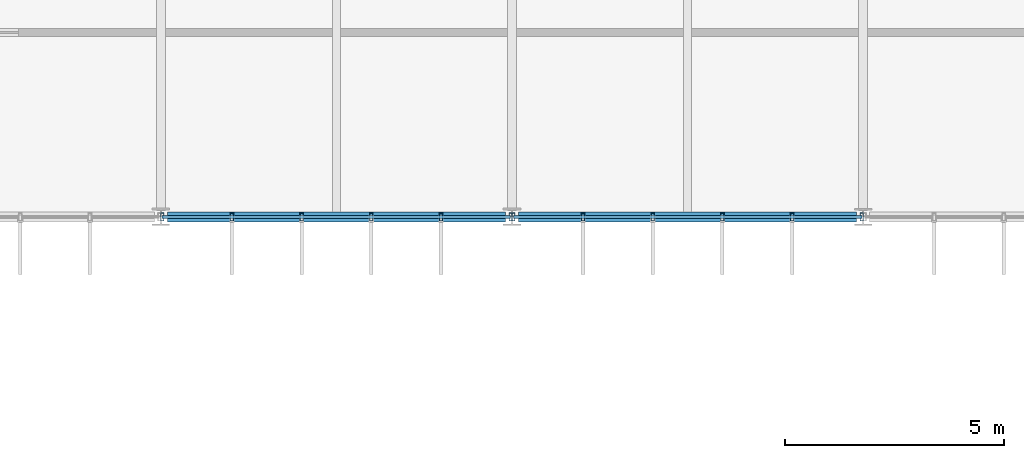
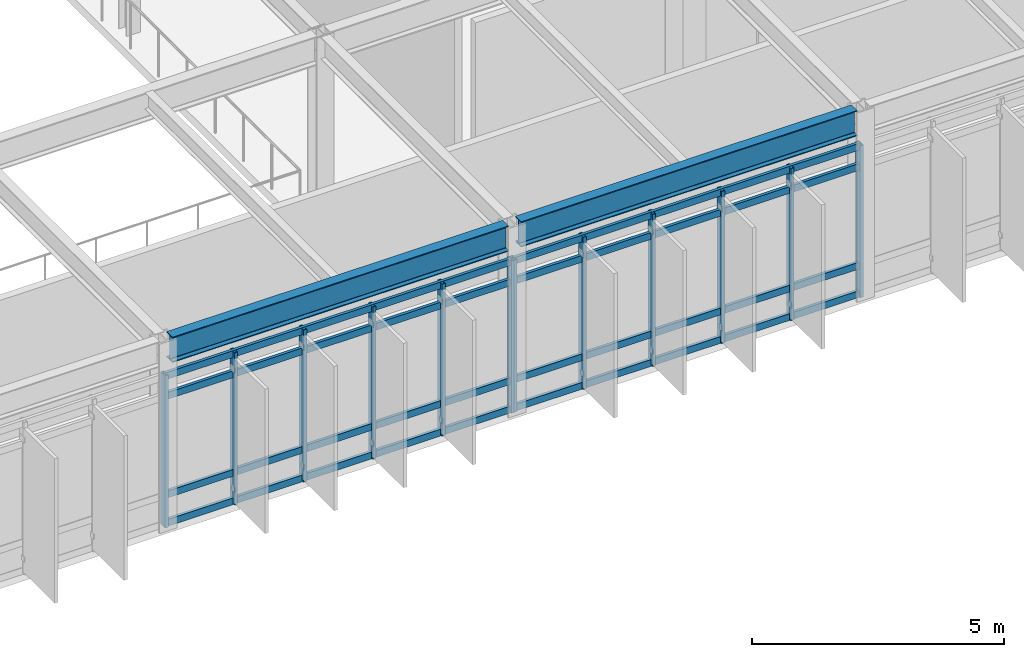
# One storey, part 41 of 104: 20 members, 2 beams, 2 elements without a shape of their own.
"""IFC4 building model written with IfcOpenShell, lengths in metres."""

from ifc_helpers import new_model, si_unit, direction, frame, origin, origin_2d, place, context, subcontext, project, spatial, hollow_rectangle, i_section, extrude, material, material_profile, profile_set, type_object, element, aggregate, save


model = new_model("IFC4")

# Units and contexts
model_context = context("Model", 3, precision=1e-05, world=origin(), true_north=direction((0.0, 1.0)))
body_context = subcontext(model_context, "Body", "Model", "MODEL_VIEW")
ifc_project = project(units=[si_unit("LENGTHUNIT", "METRE"), si_unit("AREAUNIT", "SQUARE_METRE"), si_unit("VOLUMEUNIT", "CUBIC_METRE"), si_unit("PLANEANGLEUNIT", "RADIAN"), si_unit("MASSUNIT", "GRAM", prefix="KILO")], contexts=[model_context])

# Site, building, storey
site_placement = place(None, origin())
site = spatial("IfcSite", under=ifc_project, at=site_placement, CompositionType="ELEMENT")
building_placement = place(site_placement, origin())
building = spatial("IfcBuilding", under=site, at=building_placement, Name="Zulena Civic Courthouse", CompositionType="ELEMENT")
storey_placement = place(building_placement, frame((0.0, 0.0, 10.800048828125)))
storey = spatial("IfcBuildingStorey", under=building, at=storey_placement, Name="L02", CompositionType="ELEMENT", Elevation=10.800048828125)

# Curtain wall, members
ifc_material_1 = material(Name="Double-silver low-E laminated solar-control glass", Category="glass")
curtain_wall_type = type_object("IfcCurtainWallType", Name="CW_7940x3690", PredefinedType="USERDEFINED", material=ifc_material_1)
curtain_wall_1_placement = place(storey_placement, origin())
curtain_wall_1 = element("IfcCurtainWall", 1, at=curtain_wall_1_placement, inside=storey, type_object=curtain_wall_type, Name="cw:V4:L02:3:1", ObjectType="UNITISED CURTAIN WALL", PredefinedType="USERDEFINED")
ifc_material_2 = material(Name="Bronze anodised thermally broken aluminium AA6063-T6", Category="aluminium")
ifc_material_profile_1 = material_profile(ifc_material_2, hollow_rectangle(XDim=0.074951171875, YDim=0.179931640625, WallThickness=0.0048828125, at=origin_2d()), Name="CWM180X75X5")
ifc_profile_set_1 = profile_set([ifc_material_profile_1], Name="Bronze anodised thermally broken aluminium AA6063-T6")
member_type_1 = type_object("IfcMemberType", Name="CWMullion_180x75", PredefinedType="MULLION", material=ifc_profile_set_1)
member_1_placement = place(storey_placement, frame((115.969970703125, 15.199951171875, 0.0), z_axis=(0.0, 0.0, 1.0), x_axis=(1.0, 0.0, 0.0)))
member_1 = element("IfcMember", 2, at=member_1_placement, type_object=member_type_1, Name="cw:V4:L02:3:1:mull:0", PredefinedType="MULLION", context=body_context, shape_type="SweptSolid", body=[
    extrude(hollow_rectangle(XDim=0.074951171875, YDim=0.179931640625, WallThickness=0.0048828125, at=origin_2d()), origin(), (0.0, 0.0, 1.0), 3.68994140625),
])
member_2_placement = place(storey_placement, frame((114.382080078125, 15.199951171875, 0.0), z_axis=(0.0, 0.0, 1.0), x_axis=(1.0, 0.0, 0.0)))
member_2 = element("IfcMember", 3, at=member_2_placement, type_object=member_type_1, Name="cw:V4:L02:3:1:mull:1", PredefinedType="MULLION", context=body_context, shape_type="SweptSolid", body=[
    extrude(hollow_rectangle(XDim=0.074951171875, YDim=0.179931640625, WallThickness=0.0048828125, at=origin_2d()), origin(), (0.0, 0.0, 1.0), 3.68994140625),
])
member_3_placement = place(storey_placement, frame((112.7939453125, 15.199951171875, 0.0), z_axis=(0.0, 0.0, 1.0), x_axis=(1.0, 0.0, 0.0)))
member_3 = element("IfcMember", 4, at=member_3_placement, type_object=member_type_1, Name="cw:V4:L02:3:1:mull:2", PredefinedType="MULLION", context=body_context, shape_type="SweptSolid", body=[
    extrude(hollow_rectangle(XDim=0.074951171875, YDim=0.179931640625, WallThickness=0.0048828125, at=origin_2d()), origin(), (0.0, 0.0, 1.0), 3.68994140625),
])
member_4_placement = place(storey_placement, frame((111.2060546875, 15.199951171875, 0.0), z_axis=(0.0, 0.0, 1.0), x_axis=(1.0, 0.0, 0.0)))
member_4 = element("IfcMember", 5, at=member_4_placement, type_object=member_type_1, Name="cw:V4:L02:3:1:mull:3", PredefinedType="MULLION", context=body_context, shape_type="SweptSolid", body=[
    extrude(hollow_rectangle(XDim=0.074951171875, YDim=0.179931640625, WallThickness=0.0048828125, at=origin_2d()), origin(), (0.0, 0.0, 1.0), 3.68994140625),
])
member_5_placement = place(storey_placement, frame((109.617919921875, 15.199951171875, 0.0), z_axis=(0.0, 0.0, 1.0), x_axis=(1.0, 0.0, 0.0)))
member_5 = element("IfcMember", 6, at=member_5_placement, type_object=member_type_1, Name="cw:V4:L02:3:1:mull:4", PredefinedType="MULLION", context=body_context, shape_type="SweptSolid", body=[
    extrude(hollow_rectangle(XDim=0.074951171875, YDim=0.179931640625, WallThickness=0.0048828125, at=origin_2d()), origin(), (0.0, 0.0, 1.0), 3.68994140625),
])
member_6_placement = place(storey_placement, frame((108.030029296875, 15.199951171875, 0.0), z_axis=(0.0, 0.0, 1.0), x_axis=(1.0, 0.0, 0.0)))
member_6 = element("IfcMember", 7, at=member_6_placement, type_object=member_type_1, Name="cw:V4:L02:3:1:mull:5", PredefinedType="MULLION", context=body_context, shape_type="SweptSolid", body=[
    extrude(hollow_rectangle(XDim=0.074951171875, YDim=0.179931640625, WallThickness=0.0048828125, at=origin_2d()), origin(), (0.0, 0.0, 1.0), 3.68994140625),
])

curtain_wall_2_placement = place(storey_placement, origin())
curtain_wall_2 = element("IfcCurtainWall", 8, at=curtain_wall_2_placement, inside=storey, type_object=curtain_wall_type, Name="cw:V4:L02:3:2", ObjectType="UNITISED CURTAIN WALL", PredefinedType="USERDEFINED")
member_7_placement = place(storey_placement, frame((107.969970703125, 15.199951171875, 0.0), z_axis=(0.0, 0.0, 1.0), x_axis=(1.0, 0.0, 0.0)))
member_7 = element("IfcMember", 9, at=member_7_placement, type_object=member_type_1, Name="cw:V4:L02:3:2:mull:0", PredefinedType="MULLION", context=body_context, shape_type="SweptSolid", body=[
    extrude(hollow_rectangle(XDim=0.074951171875, YDim=0.179931640625, WallThickness=0.0048828125, at=origin_2d()), origin(), (0.0, 0.0, 1.0), 3.68994140625),
])
member_8_placement = place(storey_placement, frame((106.382080078125, 15.199951171875, 0.0), z_axis=(0.0, 0.0, 1.0), x_axis=(1.0, 0.0, 0.0)))
member_8 = element("IfcMember", 10, at=member_8_placement, type_object=member_type_1, Name="cw:V4:L02:3:2:mull:1", PredefinedType="MULLION", context=body_context, shape_type="SweptSolid", body=[
    extrude(hollow_rectangle(XDim=0.074951171875, YDim=0.179931640625, WallThickness=0.0048828125, at=origin_2d()), origin(), (0.0, 0.0, 1.0), 3.68994140625),
])
member_9_placement = place(storey_placement, frame((104.7939453125, 15.199951171875, 0.0), z_axis=(0.0, 0.0, 1.0), x_axis=(1.0, 0.0, 0.0)))
member_9 = element("IfcMember", 11, at=member_9_placement, type_object=member_type_1, Name="cw:V4:L02:3:2:mull:2", PredefinedType="MULLION", context=body_context, shape_type="SweptSolid", body=[
    extrude(hollow_rectangle(XDim=0.074951171875, YDim=0.179931640625, WallThickness=0.0048828125, at=origin_2d()), origin(), (0.0, 0.0, 1.0), 3.68994140625),
])
member_10_placement = place(storey_placement, frame((103.2060546875, 15.199951171875, 0.0), z_axis=(0.0, 0.0, 1.0), x_axis=(1.0, 0.0, 0.0)))
member_10 = element("IfcMember", 12, at=member_10_placement, type_object=member_type_1, Name="cw:V4:L02:3:2:mull:3", PredefinedType="MULLION", context=body_context, shape_type="SweptSolid", body=[
    extrude(hollow_rectangle(XDim=0.074951171875, YDim=0.179931640625, WallThickness=0.0048828125, at=origin_2d()), origin(), (0.0, 0.0, 1.0), 3.68994140625),
])
member_11_placement = place(storey_placement, frame((101.617919921875, 15.199951171875, 0.0), z_axis=(0.0, 0.0, 1.0), x_axis=(1.0, 0.0, 0.0)))
member_11 = element("IfcMember", 13, at=member_11_placement, type_object=member_type_1, Name="cw:V4:L02:3:2:mull:4", PredefinedType="MULLION", context=body_context, shape_type="SweptSolid", body=[
    extrude(hollow_rectangle(XDim=0.074951171875, YDim=0.179931640625, WallThickness=0.0048828125, at=origin_2d()), origin(), (0.0, 0.0, 1.0), 3.68994140625),
])
member_12_placement = place(storey_placement, frame((100.030029296875, 15.199951171875, 0.0), z_axis=(0.0, 0.0, 1.0), x_axis=(1.0, 0.0, 0.0)))
member_12 = element("IfcMember", 14, at=member_12_placement, type_object=member_type_1, Name="cw:V4:L02:3:2:mull:5", PredefinedType="MULLION", context=body_context, shape_type="SweptSolid", body=[
    extrude(hollow_rectangle(XDim=0.074951171875, YDim=0.179931640625, WallThickness=0.0048828125, at=origin_2d()), origin(), (0.0, 0.0, 1.0), 3.68994140625),
])

# Member
ifc_material_profile_2 = material_profile(ifc_material_2, hollow_rectangle(XDim=0.070068359375, YDim=0.1650390625, WallThickness=0.00390625, at=origin_2d()), Name="CWT165X70X4")
ifc_profile_set_2 = profile_set([ifc_material_profile_2], Name="Bronze anodised thermally broken aluminium AA6063-T6")
member_type_2 = type_object("IfcMemberType", Name="CWTransom_165x70", PredefinedType="USERDEFINED", material=ifc_profile_set_2)
member_13_placement = place(storey_placement, frame((115.969970703125, 15.199951171875, 0.06005859375), z_axis=(-1.0, 0.0, 0.0), x_axis=(0.0, -1.0, 0.0)))
member_13 = element("IfcMember", 15, at=member_13_placement, type_object=member_type_2, Name="cw:V4:L02:3:1:tran:0", ObjectType="TRANSOM", PredefinedType="USERDEFINED", context=body_context, shape_type="SweptSolid", body=[
    extrude(hollow_rectangle(XDim=0.070068359375, YDim=0.1650390625, WallThickness=0.00390625, at=origin_2d()), origin(), (0.0, 0.0, 1.0), 7.93994140625),
])

member_14_placement = place(storey_placement, frame((115.969970703125, 15.199951171875, 0.75), z_axis=(-1.0, 0.0, 0.0), x_axis=(0.0, -1.0, 0.0)))
member_14 = element("IfcMember", 16, at=member_14_placement, type_object=member_type_2, Name="cw:V4:L02:3:1:tran:1", ObjectType="TRANSOM", PredefinedType="USERDEFINED", context=body_context, shape_type="SweptSolid", body=[
    extrude(hollow_rectangle(XDim=0.070068359375, YDim=0.1650390625, WallThickness=0.00390625, at=origin_2d()), origin(), (0.0, 0.0, 1.0), 7.93994140625),
])

member_15_placement = place(storey_placement, frame((115.969970703125, 15.199951171875, 3.139892578125), z_axis=(-1.0, 0.0, 0.0), x_axis=(0.0, -1.0, 0.0)))
member_15 = element("IfcMember", 17, at=member_15_placement, type_object=member_type_2, Name="cw:V4:L02:3:1:tran:2", ObjectType="TRANSOM", PredefinedType="USERDEFINED", context=body_context, shape_type="SweptSolid", body=[
    extrude(hollow_rectangle(XDim=0.070068359375, YDim=0.1650390625, WallThickness=0.00390625, at=origin_2d()), origin(), (0.0, 0.0, 1.0), 7.93994140625),
])

member_16_placement = place(storey_placement, frame((115.969970703125, 15.199951171875, 3.6298828125), z_axis=(-1.0, 0.0, 0.0), x_axis=(0.0, -1.0, 0.0)))
member_16 = element("IfcMember", 18, at=member_16_placement, type_object=member_type_2, Name="cw:V4:L02:3:1:tran:3", ObjectType="TRANSOM", PredefinedType="USERDEFINED", context=body_context, shape_type="SweptSolid", body=[
    extrude(hollow_rectangle(XDim=0.070068359375, YDim=0.1650390625, WallThickness=0.00390625, at=origin_2d()), origin(), (0.0, 0.0, 1.0), 7.93994140625),
])

aggregate(curtain_wall_1, [member_1, member_2, member_3, member_4, member_5, member_6, member_13, member_14, member_15, member_16])

member_17_placement = place(storey_placement, frame((107.969970703125, 15.199951171875, 0.06005859375), z_axis=(-1.0, 0.0, 0.0), x_axis=(0.0, -1.0, 0.0)))
member_17 = element("IfcMember", 19, at=member_17_placement, type_object=member_type_2, Name="cw:V4:L02:3:2:tran:0", ObjectType="TRANSOM", PredefinedType="USERDEFINED", context=body_context, shape_type="SweptSolid", body=[
    extrude(hollow_rectangle(XDim=0.070068359375, YDim=0.1650390625, WallThickness=0.00390625, at=origin_2d()), origin(), (0.0, 0.0, 1.0), 7.93994140625),
])

member_18_placement = place(storey_placement, frame((107.969970703125, 15.199951171875, 0.75), z_axis=(-1.0, 0.0, 0.0), x_axis=(0.0, -1.0, 0.0)))
member_18 = element("IfcMember", 20, at=member_18_placement, type_object=member_type_2, Name="cw:V4:L02:3:2:tran:1", ObjectType="TRANSOM", PredefinedType="USERDEFINED", context=body_context, shape_type="SweptSolid", body=[
    extrude(hollow_rectangle(XDim=0.070068359375, YDim=0.1650390625, WallThickness=0.00390625, at=origin_2d()), origin(), (0.0, 0.0, 1.0), 7.93994140625),
])

member_19_placement = place(storey_placement, frame((107.969970703125, 15.199951171875, 3.139892578125), z_axis=(-1.0, 0.0, 0.0), x_axis=(0.0, -1.0, 0.0)))
member_19 = element("IfcMember", 21, at=member_19_placement, type_object=member_type_2, Name="cw:V4:L02:3:2:tran:2", ObjectType="TRANSOM", PredefinedType="USERDEFINED", context=body_context, shape_type="SweptSolid", body=[
    extrude(hollow_rectangle(XDim=0.070068359375, YDim=0.1650390625, WallThickness=0.00390625, at=origin_2d()), origin(), (0.0, 0.0, 1.0), 7.93994140625),
])

member_20_placement = place(storey_placement, frame((107.969970703125, 15.199951171875, 3.6298828125), z_axis=(-1.0, 0.0, 0.0), x_axis=(0.0, -1.0, 0.0)))
member_20 = element("IfcMember", 22, at=member_20_placement, type_object=member_type_2, Name="cw:V4:L02:3:2:tran:3", ObjectType="TRANSOM", PredefinedType="USERDEFINED", context=body_context, shape_type="SweptSolid", body=[
    extrude(hollow_rectangle(XDim=0.070068359375, YDim=0.1650390625, WallThickness=0.00390625, at=origin_2d()), origin(), (0.0, 0.0, 1.0), 7.93994140625),
])

aggregate(curtain_wall_2, [member_7, member_8, member_9, member_10, member_11, member_12, member_17, member_18, member_19, member_20])

# Beams
ifc_material_3 = material(Name="Steel ASTM A992 Grade 50", Category="steel")
ifc_material_profile_3 = material_profile(ifc_material_3, i_section(OverallWidth=0.22998046875, OverallDepth=0.616943359375, WebThickness=0.01318359375, FlangeThickness=0.022216796875, FilletRadius=0.0126953125, at=origin_2d()), Name="W24X94")
ifc_profile_set_3 = profile_set([ifc_material_profile_3], Name="Steel ASTM A992 Grade 50")
beam_type = type_object("IfcBeamType", Name="Spandrel_W24X94", PredefinedType="SPANDREL", material=ifc_profile_set_3)
for number, where, z_axis, x_axis, name in (
    (23, (100.14501953125, 15.199951171875, 4.281494140625), (1.0, 0.0, 0.0), (0.0, 1.0, 0.0), "beam:X:V4:L02:15.2:100.0_108.0"),
    (24, (108.14501953125, 15.199951171875, 4.281494140625), (1.0, 0.0, 0.0), (0.0, 1.0, 0.0), "beam:X:V4:L02:15.2:108.0_116.0"),
):
    element("IfcBeam", number, at=place(storey_placement, frame(where, z_axis=z_axis, x_axis=x_axis)), inside=storey, type_object=beam_type, Name=name, PredefinedType="SPANDREL", context=body_context, shape_type="SweptSolid", body=[
        extrude(i_section(OverallWidth=0.22998046875, OverallDepth=0.616943359375, WebThickness=0.01318359375, FlangeThickness=0.022216796875, FilletRadius=0.0126953125, at=origin_2d()), origin(), (0.0, 0.0, 1.0), 7.7099609375),
    ])

save(model, "model.ifc")
